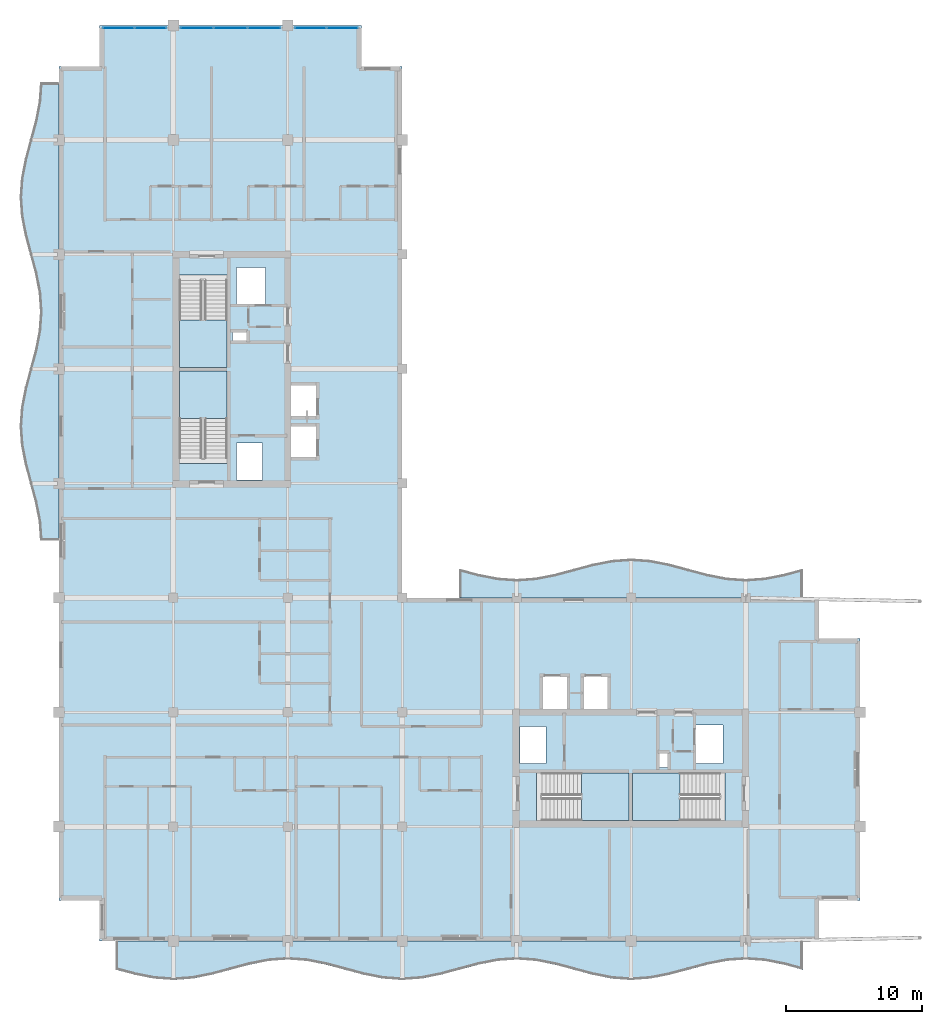
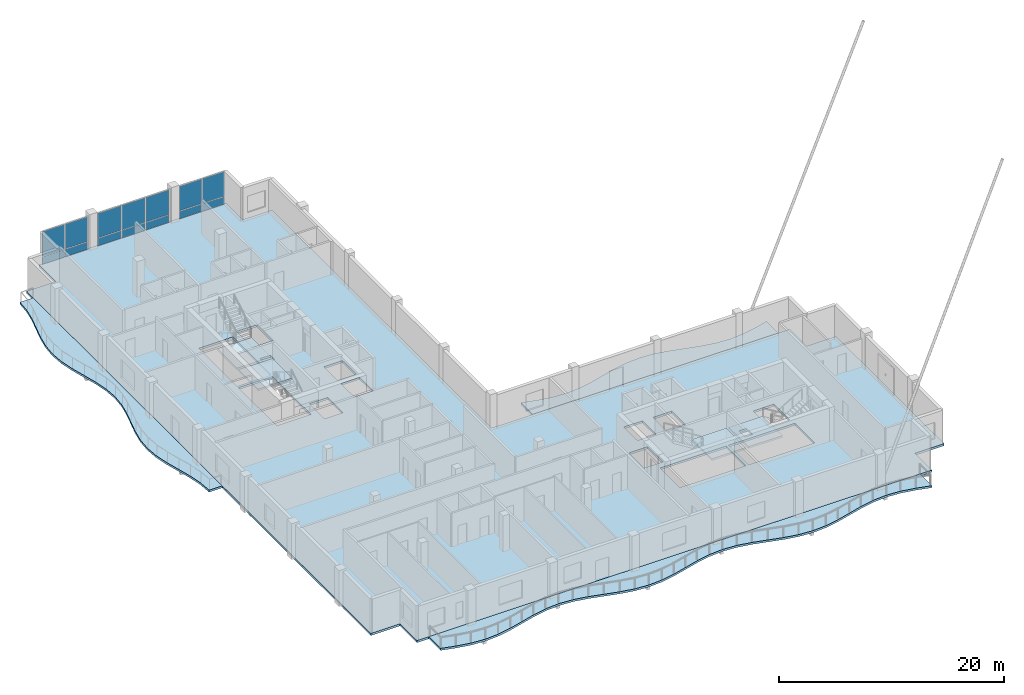
# One storey, part 5 of 17: 14 plates, 8 slabs, 7 elements without a shape of their own.
"""IFC4 building model written with IfcOpenShell, lengths in metres."""

from ifc_helpers import new_model, si_unit, direction, frame, origin, origin_2d, place, context, subcontext, project, spatial, polyline, rectangle, outline, extrude, material, layer, layer_set, type_object, element, aggregate, save


model = new_model("IFC4")

# Units and contexts
model_context = context("Model", 3, precision=1e-05, world=origin(), true_north=direction((0.0, 1.0)))
body_context = subcontext(model_context, "Body", "Model", "MODEL_VIEW")
ifc_project = project(units=[si_unit("LENGTHUNIT", "METRE"), si_unit("AREAUNIT", "SQUARE_METRE"), si_unit("VOLUMEUNIT", "CUBIC_METRE"), si_unit("PLANEANGLEUNIT", "RADIAN"), si_unit("MASSUNIT", "GRAM", prefix="KILO")], contexts=[model_context])

# Site, building, storey
site_placement = place(None, origin())
site = spatial("IfcSite", under=ifc_project, at=site_placement, CompositionType="ELEMENT")
building_placement = place(site_placement, origin())
building = spatial("IfcBuilding", under=site, at=building_placement, Name="Koriwani Terraces Tower", CompositionType="ELEMENT")
storey_placement = place(building_placement, frame((0.0, 0.0, 332.0)))
storey = spatial("IfcBuildingStorey", under=building, at=storey_placement, Name="L82", CompositionType="ELEMENT", Elevation=332.0)

# Curtain wall, plates
ifc_material_1 = material(Name="Anodised Bronze Aluminium", Category="aluminium")
ifc_layer_1 = layer(ifc_material_1, 0.18994140625, Name="Anodised Bronze Aluminium")
ifc_layer_set_1 = layer_set([ifc_layer_1], Name="Anodised Bronze Aluminium")
curtain_wall_type = type_object("IfcCurtainWallType", Name="CW_PENTHOUSE_ZONE5", PredefinedType="NOTDEFINED", material=ifc_layer_set_1)
curtain_wall_1_placement = place(storey_placement, origin())
curtain_wall_1 = element("IfcCurtainWall", 1, at=curtain_wall_1_placement, inside=storey, type_object=curtain_wall_type, Name="L82 Unitised Curtain Wall (N_TIP) Bay 1", PredefinedType="NOTDEFINED")
ifc_material_2 = material(Name="Tempered Laminated Low-E Glass", Category="glass")
ifc_layer_2 = layer(ifc_material_2, 0.028076171875, Name="Tempered Laminated Low-E Glass")
ifc_layer_set_2 = layer_set([ifc_layer_2], Name="Tempered Laminated Low-E Glass")
plate_type = type_object("IfcPlateType", Name="CW_PANEL_VISION_28", PredefinedType="CURTAIN_PANEL", material=ifc_layer_set_2)
plate_1_placement = place(storey_placement, frame((12.784912109375, 75.425048828125, 0.06494140625), z_axis=(0.0, 0.0, 1.0), x_axis=(1.0, 0.0, 0.0)))
plate_1 = element("IfcPlate", 2, at=plate_1_placement, type_object=plate_type, Name="CW-Z5 panel 1.1", PredefinedType="CURTAIN_PANEL", context=body_context, shape_type="SweptSolid", body=[
    extrude(rectangle(XDim=2.27001953125, YDim=0.028076171875, at=origin_2d()), origin(), (0.0, 0.0, 1.0), 0.802490234375),
])
plate_2_placement = place(storey_placement, frame((12.784912109375, 75.425048828125, 0.9326171875), z_axis=(0.0, 0.0, 1.0), x_axis=(1.0, 0.0, 0.0)))
plate_2 = element("IfcPlate", 3, at=plate_2_placement, type_object=plate_type, Name="CW-Z5 panel 1.2", PredefinedType="CURTAIN_PANEL", context=body_context, shape_type="SweptSolid", body=[
    extrude(rectangle(XDim=2.27001953125, YDim=0.028076171875, at=origin_2d()), origin(), (0.0, 0.0, 1.0), 2.672607421875),
])
plate_3_placement = place(storey_placement, frame((15.1298828125, 75.425048828125, 0.06494140625), z_axis=(0.0, 0.0, 1.0), x_axis=(1.0, 0.0, 0.0)))
plate_3 = element("IfcPlate", 4, at=plate_3_placement, type_object=plate_type, Name="CW-Z5 panel 2.1", PredefinedType="CURTAIN_PANEL", context=body_context, shape_type="SweptSolid", body=[
    extrude(rectangle(XDim=2.27001953125, YDim=0.028076171875, at=origin_2d()), origin(), (0.0, 0.0, 1.0), 0.802490234375),
])
plate_4_placement = place(storey_placement, frame((15.1298828125, 75.425048828125, 0.9326171875), z_axis=(0.0, 0.0, 1.0), x_axis=(1.0, 0.0, 0.0)))
plate_4 = element("IfcPlate", 5, at=plate_4_placement, type_object=plate_type, Name="CW-Z5 panel 2.2", PredefinedType="CURTAIN_PANEL", context=body_context, shape_type="SweptSolid", body=[
    extrude(rectangle(XDim=2.27001953125, YDim=0.028076171875, at=origin_2d()), origin(), (0.0, 0.0, 1.0), 2.672607421875),
])
aggregate(curtain_wall_1, [plate_1, plate_2, plate_3, plate_4])

curtain_wall_2_placement = place(storey_placement, origin())
curtain_wall_2 = element("IfcCurtainWall", 6, at=curtain_wall_2_placement, inside=storey, type_object=curtain_wall_type, Name="L82 Unitised Curtain Wall (N_TIP) Bay 2", PredefinedType="NOTDEFINED")
plate_5_placement = place(storey_placement, frame((18.525390625, 75.425048828125, 0.06494140625), z_axis=(0.0, 0.0, 1.0), x_axis=(1.0, 0.0, 0.0)))
plate_5 = element("IfcPlate", 7, at=plate_5_placement, type_object=plate_type, Name="CW-Z5 panel 1.1", PredefinedType="CURTAIN_PANEL", context=body_context, shape_type="SweptSolid", body=[
    extrude(rectangle(XDim=2.380859375, YDim=0.028076171875, at=origin_2d()), origin(), (0.0, 0.0, 1.0), 0.802490234375),
])
plate_6_placement = place(storey_placement, frame((18.525390625, 75.425048828125, 0.9326171875), z_axis=(0.0, 0.0, 1.0), x_axis=(1.0, 0.0, 0.0)))
plate_6 = element("IfcPlate", 8, at=plate_6_placement, type_object=plate_type, Name="CW-Z5 panel 1.2", PredefinedType="CURTAIN_PANEL", context=body_context, shape_type="SweptSolid", body=[
    extrude(rectangle(XDim=2.380859375, YDim=0.028076171875, at=origin_2d()), origin(), (0.0, 0.0, 1.0), 2.672607421875),
])
plate_7_placement = place(storey_placement, frame((21.0, 75.425048828125, 0.06494140625), z_axis=(0.0, 0.0, 1.0), x_axis=(1.0, 0.0, 0.0)))
plate_7 = element("IfcPlate", 9, at=plate_7_placement, type_object=plate_type, Name="CW-Z5 panel 2.1", PredefinedType="CURTAIN_PANEL", context=body_context, shape_type="SweptSolid", body=[
    extrude(rectangle(XDim=2.418212890625, YDim=0.028076171875, at=origin_2d()), origin(), (0.0, 0.0, 1.0), 0.802490234375),
])
plate_8_placement = place(storey_placement, frame((21.0, 75.425048828125, 0.9326171875), z_axis=(0.0, 0.0, 1.0), x_axis=(1.0, 0.0, 0.0)))
plate_8 = element("IfcPlate", 10, at=plate_8_placement, type_object=plate_type, Name="CW-Z5 panel 2.2", PredefinedType="CURTAIN_PANEL", context=body_context, shape_type="SweptSolid", body=[
    extrude(rectangle(XDim=2.418212890625, YDim=0.028076171875, at=origin_2d()), origin(), (0.0, 0.0, 1.0), 2.672607421875),
])
plate_9_placement = place(storey_placement, frame((23.474609375, 75.425048828125, 0.06494140625), z_axis=(0.0, 0.0, 1.0), x_axis=(1.0, 0.0, 0.0)))
plate_9 = element("IfcPlate", 11, at=plate_9_placement, type_object=plate_type, Name="CW-Z5 panel 3.1", PredefinedType="CURTAIN_PANEL", context=body_context, shape_type="SweptSolid", body=[
    extrude(rectangle(XDim=2.380859375, YDim=0.028076171875, at=origin_2d()), origin(), (0.0, 0.0, 1.0), 0.802490234375),
])
plate_10_placement = place(storey_placement, frame((23.474609375, 75.425048828125, 0.9326171875), z_axis=(0.0, 0.0, 1.0), x_axis=(1.0, 0.0, 0.0)))
plate_10 = element("IfcPlate", 12, at=plate_10_placement, type_object=plate_type, Name="CW-Z5 panel 3.2", PredefinedType="CURTAIN_PANEL", context=body_context, shape_type="SweptSolid", body=[
    extrude(rectangle(XDim=2.380859375, YDim=0.028076171875, at=origin_2d()), origin(), (0.0, 0.0, 1.0), 2.672607421875),
])
aggregate(curtain_wall_2, [plate_5, plate_6, plate_7, plate_8, plate_9, plate_10])

curtain_wall_3_placement = place(storey_placement, origin())
curtain_wall_3 = element("IfcCurtainWall", 13, at=curtain_wall_3_placement, inside=storey, type_object=curtain_wall_type, Name="L82 Unitised Curtain Wall (N_TIP) Bay 3", PredefinedType="NOTDEFINED")
plate_11_placement = place(storey_placement, frame((26.8701171875, 75.425048828125, 0.06494140625), z_axis=(0.0, 0.0, 1.0), x_axis=(1.0, 0.0, 0.0)))
plate_11 = element("IfcPlate", 14, at=plate_11_placement, type_object=plate_type, Name="CW-Z5 panel 1.1", PredefinedType="CURTAIN_PANEL", context=body_context, shape_type="SweptSolid", body=[
    extrude(rectangle(XDim=2.27001953125, YDim=0.028076171875, at=origin_2d()), origin(), (0.0, 0.0, 1.0), 0.802490234375),
])
plate_12_placement = place(storey_placement, frame((26.8701171875, 75.425048828125, 0.9326171875), z_axis=(0.0, 0.0, 1.0), x_axis=(1.0, 0.0, 0.0)))
plate_12 = element("IfcPlate", 15, at=plate_12_placement, type_object=plate_type, Name="CW-Z5 panel 1.2", PredefinedType="CURTAIN_PANEL", context=body_context, shape_type="SweptSolid", body=[
    extrude(rectangle(XDim=2.27001953125, YDim=0.028076171875, at=origin_2d()), origin(), (0.0, 0.0, 1.0), 2.672607421875),
])
plate_13_placement = place(storey_placement, frame((29.215087890625, 75.425048828125, 0.06494140625), z_axis=(0.0, 0.0, 1.0), x_axis=(1.0, 0.0, 0.0)))
plate_13 = element("IfcPlate", 16, at=plate_13_placement, type_object=plate_type, Name="CW-Z5 panel 2.1", PredefinedType="CURTAIN_PANEL", context=body_context, shape_type="SweptSolid", body=[
    extrude(rectangle(XDim=2.27001953125, YDim=0.028076171875, at=origin_2d()), origin(), (0.0, 0.0, 1.0), 0.802490234375),
])
plate_14_placement = place(storey_placement, frame((29.215087890625, 75.425048828125, 0.9326171875), z_axis=(0.0, 0.0, 1.0), x_axis=(1.0, 0.0, 0.0)))
plate_14 = element("IfcPlate", 17, at=plate_14_placement, type_object=plate_type, Name="CW-Z5 panel 2.2", PredefinedType="CURTAIN_PANEL", context=body_context, shape_type="SweptSolid", body=[
    extrude(rectangle(XDim=2.27001953125, YDim=0.028076171875, at=origin_2d()), origin(), (0.0, 0.0, 1.0), 2.672607421875),
])
aggregate(curtain_wall_3, [plate_11, plate_12, plate_13, plate_14])

# Slabs
ifc_material_3 = material(Name="Concrete C40/50", Category="concrete")
ifc_layer_3 = layer(ifc_material_3, 0.219970703125, Name="Concrete C40/50")
ifc_layer_set_3 = layer_set([ifc_layer_3], Name="Concrete C40/50")
slab_type_1 = type_object("IfcSlabType", Name="SLAB_BALCONY_220", PredefinedType="FLOOR", material=ifc_layer_set_3)
slab_1_placement = place(storey_placement, frame((0.0, 0.0, -0.219970703125)))
element("IfcSlab", 18, at=slab_1_placement, inside=storey, type_object=slab_type_1, Name="L82 Quilted Circular-Arc Balcony (S)", PredefinedType="FLOOR", context=body_context, shape_type="SweptSolid", body=[
    extrude(outline(polyline([(12.60009765625, 8.39990234375), (14.0, 8.39990234375), (15.39990234375, 8.39990234375), (16.800048828125, 8.39990234375), (18.199951171875, 8.39990234375), (19.60009765625, 8.39990234375), (21.0, 8.39990234375), (22.39990234375, 8.39990234375), (23.800048828125, 8.39990234375), (25.199951171875, 8.39990234375), (26.60009765625, 8.39990234375), (28.0, 8.39990234375), (29.39990234375, 8.39990234375), (30.800048828125, 8.39990234375), (32.199951171875, 8.39990234375), (33.60009765625, 8.39990234375), (35.0, 8.39990234375), (36.39990234375, 8.39990234375), (37.800048828125, 8.39990234375), (39.199951171875, 8.39990234375), (40.60009765625, 8.39990234375), (42.0, 8.39990234375), (43.39990234375, 8.39990234375), (44.800048828125, 8.39990234375), (46.199951171875, 8.39990234375), (47.60009765625, 8.39990234375), (49.0, 8.39990234375), (50.39990234375, 8.39990234375), (51.800048828125, 8.39990234375), (53.199951171875, 8.39990234375), (54.60009765625, 8.39990234375), (56.0, 8.39990234375), (57.39990234375, 8.39990234375), (58.800048828125, 8.39990234375), (60.199951171875, 8.39990234375), (61.60009765625, 8.39990234375), (63.0, 8.39990234375), (63.0, 6.300048828125), (61.60009765625, 6.675048828125), (60.199951171875, 6.949462890625), (58.800048828125, 7.050048828125), (57.39990234375, 6.949462890625), (56.0, 6.675048828125), (54.60009765625, 6.300048828125), (53.199951171875, 5.925048828125), (51.800048828125, 5.650390625), (50.39990234375, 5.550048828125), (49.0, 5.650390625), (47.60009765625, 5.925048828125), (46.199951171875, 6.300048828125), (44.800048828125, 6.675048828125), (43.39990234375, 6.949462890625), (42.0, 7.050048828125), (40.60009765625, 6.949462890625), (39.199951171875, 6.675048828125), (37.800048828125, 6.300048828125), (36.39990234375, 5.925048828125), (35.0, 5.650390625), (33.60009765625, 5.550048828125), (32.199951171875, 5.650390625), (30.800048828125, 5.925048828125), (29.39990234375, 6.300048828125), (28.0, 6.675048828125), (26.60009765625, 6.949462890625), (25.199951171875, 7.050048828125), (23.800048828125, 6.949462890625), (22.39990234375, 6.675048828125), (21.0, 6.300048828125), (19.60009765625, 5.925048828125), (18.199951171875, 5.650390625), (16.800048828125, 5.550048828125), (15.39990234375, 5.650390625), (14.0, 5.925048828125), (12.60009765625, 6.300048828125), (12.60009765625, 8.39990234375)])), origin(), (0.0, 0.0, 1.0), 0.219970703125),
])
slab_2_placement = place(storey_placement, frame((0.0, 0.0, -0.219970703125)))
element("IfcSlab", 19, at=slab_2_placement, inside=storey, type_object=slab_type_1, Name="L82 Quilted Circular-Arc Balcony (W)", PredefinedType="FLOOR", context=body_context, shape_type="SweptSolid", body=[
    extrude(outline(polyline([(8.39990234375, 37.800048828125), (8.39990234375, 39.199951171875), (8.39990234375, 40.60009765625), (8.39990234375, 42.0), (8.39990234375, 43.39990234375), (8.39990234375, 44.800048828125), (8.39990234375, 46.199951171875), (8.39990234375, 47.60009765625), (8.39990234375, 49.0), (8.39990234375, 50.39990234375), (8.39990234375, 51.800048828125), (8.39990234375, 53.199951171875), (8.39990234375, 54.60009765625), (8.39990234375, 56.0), (8.39990234375, 57.39990234375), (8.39990234375, 58.800048828125), (8.39990234375, 60.199951171875), (8.39990234375, 61.60009765625), (8.39990234375, 63.0), (8.39990234375, 64.39990234375), (8.39990234375, 65.800048828125), (8.39990234375, 67.199951171875), (8.39990234375, 68.60009765625), (8.39990234375, 70.0), (8.39990234375, 71.39990234375), (7.050048828125, 71.39990234375), (6.949462890625, 70.0), (6.675048828125, 68.60009765625), (6.300048828125, 67.199951171875), (5.925048828125, 65.800048828125), (5.650390625, 64.39990234375), (5.550048828125, 63.0), (5.650390625, 61.60009765625), (5.925048828125, 60.199951171875), (6.300048828125, 58.800048828125), (6.675048828125, 57.39990234375), (6.949462890625, 56.0), (7.050048828125, 54.60009765625), (6.949462890625, 53.199951171875), (6.675048828125, 51.800048828125), (6.300048828125, 50.39990234375), (5.925048828125, 49.0), (5.650390625, 47.60009765625), (5.550048828125, 46.199951171875), (5.650390625, 44.800048828125), (5.925048828125, 43.39990234375), (6.300048828125, 42.0), (6.675048828125, 40.60009765625), (6.949462890625, 39.199951171875), (7.050048828125, 37.800048828125), (8.39990234375, 37.800048828125)])), origin(), (0.0, 0.0, 1.0), 0.219970703125),
])
slab_3_placement = place(storey_placement, frame((0.0, 0.0, -0.219970703125)))
element("IfcSlab", 20, at=slab_3_placement, inside=storey, type_object=slab_type_1, Name="L82 Quilted Circular-Arc Balcony (NE)", PredefinedType="FLOOR", context=body_context, shape_type="SweptSolid", body=[
    extrude(outline(polyline([(63.0, 33.60009765625), (61.60009765625, 33.60009765625), (60.199951171875, 33.60009765625), (58.800048828125, 33.60009765625), (57.39990234375, 33.60009765625), (56.0, 33.60009765625), (54.60009765625, 33.60009765625), (53.199951171875, 33.60009765625), (51.800048828125, 33.60009765625), (50.39990234375, 33.60009765625), (49.0, 33.60009765625), (47.60009765625, 33.60009765625), (46.199951171875, 33.60009765625), (44.800048828125, 33.60009765625), (43.39990234375, 33.60009765625), (42.0, 33.60009765625), (40.60009765625, 33.60009765625), (39.199951171875, 33.60009765625), (37.800048828125, 33.60009765625), (37.800048828125, 35.699951171875), (39.199951171875, 35.324951171875), (40.60009765625, 35.050537109375), (42.0, 34.949951171875), (43.39990234375, 35.050537109375), (44.800048828125, 35.324951171875), (46.199951171875, 35.699951171875), (47.60009765625, 36.074951171875), (49.0, 36.349609375), (50.39990234375, 36.449951171875), (51.800048828125, 36.349609375), (53.199951171875, 36.074951171875), (54.60009765625, 35.699951171875), (56.0, 35.324951171875), (57.39990234375, 35.050537109375), (58.800048828125, 34.949951171875), (60.199951171875, 35.050537109375), (61.60009765625, 35.324951171875), (63.0, 35.699951171875), (63.0, 33.60009765625)])), origin(), (0.0, 0.0, 1.0), 0.219970703125),
])
ifc_layer_4 = layer(ifc_material_3, 0.22998046875, Name="Concrete C40/50")
ifc_layer_set_4 = layer_set([ifc_layer_4], Name="Concrete C40/50")
slab_type_2 = type_object("IfcSlabType", Name="SLAB_RES_TYP_230", PredefinedType="FLOOR", material=ifc_layer_set_4)
slab_4_placement = place(storey_placement, frame((0.0, 0.0, -0.22998046875)))
element("IfcSlab", 21, at=slab_4_placement, inside=storey, type_object=slab_type_2, Name="L82 Structural Floor Slab", PredefinedType="FLOOR", context=body_context, shape_type="SweptSolid", body=[
    extrude(outline(polyline([(11.39990234375, 8.39990234375), (64.199951171875, 8.39990234375), (64.199951171875, 11.39990234375), (67.199951171875, 11.39990234375), (67.199951171875, 30.60009765625), (64.199951171875, 30.60009765625), (64.199951171875, 33.60009765625), (33.60009765625, 33.60009765625), (33.60009765625, 72.60009765625), (30.60009765625, 72.60009765625), (30.60009765625, 75.60009765625), (11.39990234375, 75.60009765625), (11.39990234375, 72.60009765625), (8.39990234375, 72.60009765625), (8.39990234375, 11.39990234375), (11.39990234375, 11.39990234375), (11.39990234375, 8.39990234375)]), holes=[polyline([(17.25, 43.4599609375), (20.75, 43.4599609375), (20.75, 50.25), (17.25, 50.25), (17.25, 43.4599609375)]), polyline([(17.25, 50.5), (20.75, 50.5), (20.75, 57.2900390625), (17.25, 57.2900390625), (17.25, 50.5)]), polyline([(43.4599609375, 17.25), (50.25, 17.25), (50.25, 20.75), (43.4599609375, 20.75), (43.4599609375, 17.25)]), polyline([(50.5, 17.25), (57.2900390625, 17.25), (57.2900390625, 20.75), (50.5, 20.75), (50.5, 17.25)]), polyline([(25.449951171875, 43.85009765625), (27.35009765625, 43.85009765625), (27.35009765625, 46.25), (25.449951171875, 46.25), (25.449951171875, 43.85009765625)]), polyline([(25.449951171875, 46.85009765625), (27.35009765625, 46.85009765625), (27.35009765625, 49.25), (25.449951171875, 49.25), (25.449951171875, 46.85009765625)]), polyline([(43.85009765625, 25.449951171875), (45.75, 25.449951171875), (45.75, 27.85009765625), (43.85009765625, 27.85009765625), (43.85009765625, 25.449951171875)]), polyline([(46.85009765625, 25.449951171875), (48.75, 25.449951171875), (48.75, 27.85009765625), (46.85009765625, 27.85009765625), (46.85009765625, 25.449951171875)]), polyline([(21.449951171875, 55.050048828125), (23.550048828125, 55.050048828125), (23.550048828125, 57.85009765625), (21.449951171875, 57.85009765625), (21.449951171875, 55.050048828125)]), polyline([(55.050048828125, 21.449951171875), (57.14990234375, 21.449951171875), (57.14990234375, 24.25), (55.050048828125, 24.25), (55.050048828125, 21.449951171875)]), polyline([(21.449951171875, 42.25), (23.35009765625, 42.25), (23.35009765625, 44.949951171875), (21.449951171875, 44.949951171875), (21.449951171875, 42.25)]), polyline([(42.25, 21.449951171875), (44.14990234375, 21.449951171875), (44.14990234375, 24.14990234375), (42.25, 24.14990234375), (42.25, 21.449951171875)]), polyline([(21.14990234375, 52.419921875), (22.219970703125, 52.419921875), (22.219970703125, 53.179931640625), (21.14990234375, 53.179931640625), (21.14990234375, 52.419921875)]), polyline([(52.419921875, 21.14990234375), (53.179931640625, 21.14990234375), (53.179931640625, 22.219970703125), (52.419921875, 22.219970703125), (52.419921875, 21.14990234375)])]), origin(), (0.0, 0.0, 1.0), 0.22998046875),
])

# Stair, slab
stair_type = type_object("IfcStairType", Name="STAIR_CORE_DOGLEG_1650", PredefinedType="TWO_STRAIGHT_RUN_STAIR", material=ifc_material_3)
stair_1_placement = place(storey_placement, origin())
stair_1 = element("IfcStair", 22, at=stair_1_placement, inside=storey, type_object=stair_type, Name="L82 West Core Exit Stair 1", PredefinedType="HALF_TURN_STAIR")
ifc_layer_5 = layer(ifc_material_3, 0.199951171875, Name="Concrete C40/50")
ifc_layer_set_5 = layer_set([ifc_layer_5], Name="Concrete C40/50")
slab_type_3 = type_object("IfcSlabType", Name="SLAB_STAIR_LANDING_200", PredefinedType="LANDING", material=ifc_layer_set_5)
slab_5_placement = place(storey_placement, frame((0.0, 0.0, 1.75)))
slab_5 = element("IfcSlab", 23, at=slab_5_placement, type_object=slab_type_3, Name="ST-W1 landing 1", PredefinedType="LANDING", context=body_context, shape_type="SweptSolid", body=[
    extrude(outline(polyline([(20.75, 46.75), (20.75, 50.25), (17.25, 50.25), (17.25, 46.75), (20.75, 46.75)])), origin(), (0.0, 0.0, 1.0), 0.199951171875),
])
aggregate(stair_1, [slab_5])

stair_2_placement = place(storey_placement, origin())
stair_2 = element("IfcStair", 24, at=stair_2_placement, inside=storey, type_object=stair_type, Name="L82 West Core Exit Stair 2", PredefinedType="HALF_TURN_STAIR")
slab_6_placement = place(storey_placement, frame((0.0, 0.0, 1.75)))
slab_6 = element("IfcSlab", 25, at=slab_6_placement, type_object=slab_type_3, Name="ST-W2 landing 1", PredefinedType="LANDING", context=body_context, shape_type="SweptSolid", body=[
    extrude(outline(polyline([(17.25, 54.0), (17.25, 50.5), (20.75, 50.5), (20.75, 54.0), (17.25, 54.0)])), origin(), (0.0, 0.0, 1.0), 0.199951171875),
])
aggregate(stair_2, [slab_6])

stair_3_placement = place(storey_placement, origin())
stair_3 = element("IfcStair", 26, at=stair_3_placement, inside=storey, type_object=stair_type, Name="L82 East Core Exit Stair 1", PredefinedType="HALF_TURN_STAIR")
slab_7_placement = place(storey_placement, frame((0.0, 0.0, 1.75)))
slab_7 = element("IfcSlab", 27, at=slab_7_placement, type_object=slab_type_3, Name="ST-E1 landing 1", PredefinedType="LANDING", context=body_context, shape_type="SweptSolid", body=[
    extrude(outline(polyline([(46.75, 17.25), (50.25, 17.25), (50.25, 20.75), (46.75, 20.75), (46.75, 17.25)])), origin(), (0.0, 0.0, 1.0), 0.199951171875),
])
aggregate(stair_3, [slab_7])

stair_4_placement = place(storey_placement, origin())
stair_4 = element("IfcStair", 28, at=stair_4_placement, inside=storey, type_object=stair_type, Name="L82 East Core Exit Stair 2", PredefinedType="HALF_TURN_STAIR")
slab_8_placement = place(storey_placement, frame((0.0, 0.0, 1.75)))
slab_8 = element("IfcSlab", 29, at=slab_8_placement, type_object=slab_type_3, Name="ST-E2 landing 1", PredefinedType="LANDING", context=body_context, shape_type="SweptSolid", body=[
    extrude(outline(polyline([(54.0, 20.75), (50.5, 20.75), (50.5, 17.25), (54.0, 17.25), (54.0, 20.75)])), origin(), (0.0, 0.0, 1.0), 0.199951171875),
])
aggregate(stair_4, [slab_8])

save(model, "model.ifc")
